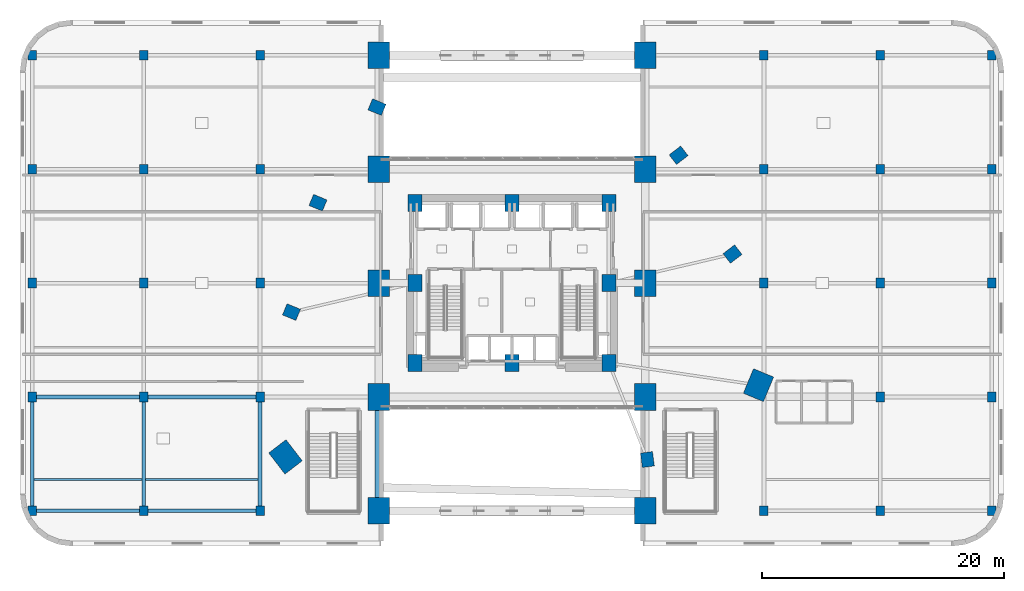
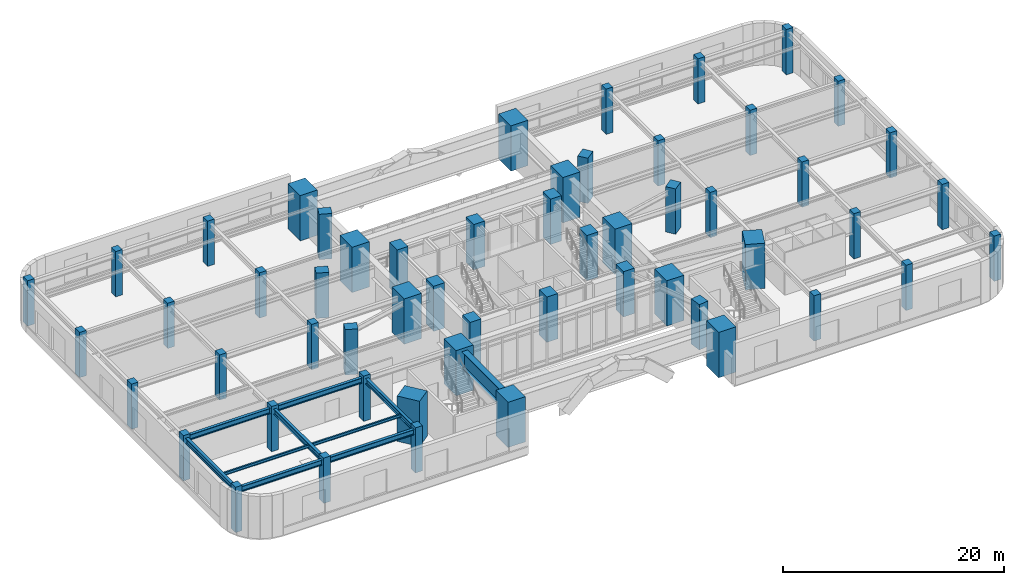
# One storey, part 1 of 25: 55 columns, 10 beams.
"""IFC4 building model written with IfcOpenShell, lengths in metres."""

from ifc_helpers import new_model, si_unit, direction, frame, origin, origin_2d, place, context, subcontext, project, spatial, rectangle, i_section, extrude, material, material_profile, profile_set, type_object, element, save


model = new_model("IFC4")

# Units and contexts
model_context = context("Model", 3, precision=1e-05, world=origin(), true_north=direction((0.0, 1.0)))
body_context = subcontext(model_context, "Body", "Model", "MODEL_VIEW")
ifc_project = project(units=[si_unit("LENGTHUNIT", "METRE"), si_unit("AREAUNIT", "SQUARE_METRE"), si_unit("VOLUMEUNIT", "CUBIC_METRE"), si_unit("PLANEANGLEUNIT", "RADIAN"), si_unit("MASSUNIT", "GRAM", prefix="KILO")], contexts=[model_context])

# Site, building, storey
site_placement = place(None, origin())
site = spatial("IfcSite", under=ifc_project, at=site_placement, CompositionType="ELEMENT")
building_placement = place(site_placement, origin())
building = spatial("IfcBuilding", under=site, at=building_placement, Name="Ndelora Gate Hotel", CompositionType="ELEMENT")
storey_placement = place(building_placement, frame((0.0, 0.0, 11.0)))
storey = spatial("IfcBuildingStorey", under=building, at=storey_placement, Name="L02", CompositionType="ELEMENT", Elevation=11.0)

# Columns
ifc_material_1 = material(Name="Concrete C60/75", Category="concrete")
ifc_material_profile_1 = material_profile(ifc_material_1, rectangle(XDim=1.800048828125, YDim=2.199951171875, at=origin_2d()), Name="RC 2200x1800")
ifc_profile_set_1 = profile_set([ifc_material_profile_1], Name="Concrete C60/75")
column_type_1 = type_object("IfcColumnType", Name="COL-ARCH-PIER", PredefinedType="COLUMN", material=ifc_profile_set_1)
for number, where, z_axis, x_axis, name in (
    (1, (-11.0, -18.800048828125, 0.0), (0.0, 0.0, 1.0), (1.0, 0.0, 0.0), "L02 Podium Column PC-04-01"),
    (2, (-11.0, -9.39990234375, 0.0), (0.0, 0.0, 1.0), (1.0, 0.0, 0.0), "L02 Podium Column PC-04-02"),
    (3, (-11.0, 0.0, 0.0), (0.0, 0.0, 1.0), (1.0, 0.0, 0.0), "L02 Podium Column PC-04-03"),
    (4, (-11.0, 9.39990234375, 0.0), (0.0, 0.0, 1.0), (1.0, 0.0, 0.0), "L02 Podium Column PC-04-04"),
    (5, (-11.0, 18.800048828125, 0.0), (0.0, 0.0, 1.0), (1.0, 0.0, 0.0), "L02 Podium Column PC-04-05"),
    (6, (11.0, -18.800048828125, 0.0), (0.0, 0.0, 1.0), (1.0, 0.0, 0.0), "L02 Podium Column PC-05-01"),
    (7, (11.0, -9.39990234375, 0.0), (0.0, 0.0, 1.0), (1.0, 0.0, 0.0), "L02 Podium Column PC-05-02"),
    (8, (11.0, 0.0, 0.0), (0.0, 0.0, 1.0), (1.0, 0.0, 0.0), "L02 Podium Column PC-05-03"),
    (9, (11.0, 9.39990234375, 0.0), (0.0, 0.0, 1.0), (1.0, 0.0, 0.0), "L02 Podium Column PC-05-04"),
    (10, (11.0, 18.800048828125, 0.0), (0.0, 0.0, 1.0), (1.0, 0.0, 0.0), "L02 Podium Column PC-05-05"),
):
    element("IfcColumn", number, at=place(storey_placement, frame(where, z_axis=z_axis, x_axis=x_axis)), inside=storey, type_object=column_type_1, Name=name, PredefinedType="COLUMN", context=body_context, shape_type="SweptSolid", body=[
        extrude(rectangle(XDim=1.800048828125, YDim=2.199951171875, at=origin_2d()), origin(), (0.0, 0.0, 1.0), 5.0),
    ])
ifc_material_profile_2 = material_profile(ifc_material_1, rectangle(XDim=1.14990234375, YDim=1.39990234375, at=origin_2d()), Name="RC 1400x1150")
ifc_profile_set_2 = profile_set([ifc_material_profile_2], Name="Concrete C60/75")
column_type_2 = type_object("IfcColumnType", Name="COL-CC-LOW", PredefinedType="COLUMN", material=ifc_profile_set_2)
for number, where, z_axis, x_axis, name in (
    (11, (-8.0, -6.60009765625, 0.0), (0.0, 0.0, 1.0), (1.0, 0.0, 0.0), "L02 Core Column CC1"),
    (12, (0.0, -6.60009765625, 0.0), (0.0, 0.0, 1.0), (1.0, 0.0, 0.0), "L02 Core Column CC2"),
    (13, (8.0, -6.60009765625, 0.0), (0.0, 0.0, 1.0), (1.0, 0.0, 0.0), "L02 Core Column CC3"),
    (14, (8.0, 0.0, 0.0), (0.0, 0.0, 1.0), (1.0, 0.0, 0.0), "L02 Core Column CC4"),
    (15, (8.0, 6.60009765625, 0.0), (0.0, 0.0, 1.0), (1.0, 0.0, 0.0), "L02 Core Column CC5"),
    (16, (0.0, 6.60009765625, 0.0), (0.0, 0.0, 1.0), (1.0, 0.0, 0.0), "L02 Core Column CC6"),
    (17, (-8.0, 6.60009765625, 0.0), (0.0, 0.0, 1.0), (1.0, 0.0, 0.0), "L02 Core Column CC7"),
    (18, (-8.0, 0.0, 0.0), (0.0, 0.0, 1.0), (1.0, 0.0, 0.0), "L02 Core Column CC8"),
):
    element("IfcColumn", number, at=place(storey_placement, frame(where, z_axis=z_axis, x_axis=x_axis)), inside=storey, type_object=column_type_2, Name=name, PredefinedType="COLUMN", context=body_context, shape_type="SweptSolid", body=[
        extrude(rectangle(XDim=1.14990234375, YDim=1.39990234375, at=origin_2d()), origin(), (0.0, 0.0, 1.0), 5.0),
    ])
ifc_material_profile_3 = material_profile(ifc_material_1, rectangle(XDim=1.800048828125, YDim=2.199951171875, at=origin_2d()), Name="RC 2200x1800")
ifc_profile_set_3 = profile_set([ifc_material_profile_3], Name="Concrete C60/75")
column_type_3 = type_object("IfcColumnType", Name="COL-MC-Z1", PredefinedType="COLUMN", material=ifc_profile_set_3)
for number, where, z_axis, x_axis, name in (
    (19, (-18.701904296875, -14.3505859375, 0.0), (0.0, 0.0, 1.0), (0.793353340291, 0.608761429009, 0.0), "L02 Tower Plumb Root Column R5"),
    (20, (20.35009765625, -8.42919921875, 0.0), (0.0, 0.0, 1.0), (-0.923879532511, 0.382683432365, 0.0), "L02 Tower Plumb Root Column R9"),
):
    element("IfcColumn", number, at=place(storey_placement, frame(where, z_axis=z_axis, x_axis=x_axis)), inside=storey, type_object=column_type_3, Name=name, PredefinedType="COLUMN", context=body_context, shape_type="SweptSolid", body=[
        extrude(rectangle(XDim=1.800048828125, YDim=2.199951171875, at=origin_2d()), origin(), (0.0, 0.0, 1.0), 5.0),
    ])
ifc_material_2 = material(Name="Concrete C50/60", Category="concrete")
ifc_material_profile_4 = material_profile(ifc_material_2, rectangle(XDim=0.699951171875, YDim=0.800048828125, at=origin_2d()), Name="RC 800x700")
ifc_profile_set_4 = profile_set([ifc_material_profile_4], Name="Concrete C50/60")
column_type_4 = type_object("IfcColumnType", Name="COL-POD-UP", PredefinedType="COLUMN", material=ifc_profile_set_4)
for number, where, z_axis, x_axis, name in (
    (21, (-39.60009765625, -18.800048828125, 0.0), (0.0, 0.0, 1.0), (1.0, 0.0, 0.0), "L02 Podium Column PC-01-01"),
    (22, (-39.60009765625, -9.39990234375, 0.0), (0.0, 0.0, 1.0), (1.0, 0.0, 0.0), "L02 Podium Column PC-01-02"),
    (23, (-39.60009765625, 0.0, 0.0), (0.0, 0.0, 1.0), (1.0, 0.0, 0.0), "L02 Podium Column PC-01-03"),
    (24, (-39.60009765625, 9.39990234375, 0.0), (0.0, 0.0, 1.0), (1.0, 0.0, 0.0), "L02 Podium Column PC-01-04"),
    (25, (-39.60009765625, 18.800048828125, 0.0), (0.0, 0.0, 1.0), (1.0, 0.0, 0.0), "L02 Podium Column PC-01-05"),
    (26, (-30.39990234375, -18.800048828125, 0.0), (0.0, 0.0, 1.0), (1.0, 0.0, 0.0), "L02 Podium Column PC-02-01"),
    (27, (-30.39990234375, -9.39990234375, 0.0), (0.0, 0.0, 1.0), (1.0, 0.0, 0.0), "L02 Podium Column PC-02-02"),
    (28, (-30.39990234375, 0.0, 0.0), (0.0, 0.0, 1.0), (1.0, 0.0, 0.0), "L02 Podium Column PC-02-03"),
    (29, (-30.39990234375, 9.39990234375, 0.0), (0.0, 0.0, 1.0), (1.0, 0.0, 0.0), "L02 Podium Column PC-02-04"),
    (30, (-30.39990234375, 18.800048828125, 0.0), (0.0, 0.0, 1.0), (1.0, 0.0, 0.0), "L02 Podium Column PC-02-05"),
    (31, (-20.800048828125, -18.800048828125, 0.0), (0.0, 0.0, 1.0), (1.0, 0.0, 0.0), "L02 Podium Column PC-03-01"),
    (32, (-20.800048828125, -9.39990234375, 0.0), (0.0, 0.0, 1.0), (1.0, 0.0, 0.0), "L02 Podium Column PC-03-02"),
    (33, (-20.800048828125, 0.0, 0.0), (0.0, 0.0, 1.0), (1.0, 0.0, 0.0), "L02 Podium Column PC-03-03"),
    (34, (-20.800048828125, 9.39990234375, 0.0), (0.0, 0.0, 1.0), (1.0, 0.0, 0.0), "L02 Podium Column PC-03-04"),
    (35, (-20.800048828125, 18.800048828125, 0.0), (0.0, 0.0, 1.0), (1.0, 0.0, 0.0), "L02 Podium Column PC-03-05"),
    (36, (20.800048828125, -18.800048828125, 0.0), (0.0, 0.0, 1.0), (1.0, 0.0, 0.0), "L02 Podium Column PC-06-01"),
    (37, (20.800048828125, 0.0, 0.0), (0.0, 0.0, 1.0), (1.0, 0.0, 0.0), "L02 Podium Column PC-06-03"),
    (38, (20.800048828125, 9.39990234375, 0.0), (0.0, 0.0, 1.0), (1.0, 0.0, 0.0), "L02 Podium Column PC-06-04"),
    (39, (20.800048828125, 18.800048828125, 0.0), (0.0, 0.0, 1.0), (1.0, 0.0, 0.0), "L02 Podium Column PC-06-05"),
    (40, (30.39990234375, -18.800048828125, 0.0), (0.0, 0.0, 1.0), (1.0, 0.0, 0.0), "L02 Podium Column PC-07-01"),
    (41, (30.39990234375, -9.39990234375, 0.0), (0.0, 0.0, 1.0), (1.0, 0.0, 0.0), "L02 Podium Column PC-07-02"),
    (42, (30.39990234375, 0.0, 0.0), (0.0, 0.0, 1.0), (1.0, 0.0, 0.0), "L02 Podium Column PC-07-03"),
    (43, (30.39990234375, 9.39990234375, 0.0), (0.0, 0.0, 1.0), (1.0, 0.0, 0.0), "L02 Podium Column PC-07-04"),
    (44, (30.39990234375, 18.800048828125, 0.0), (0.0, 0.0, 1.0), (1.0, 0.0, 0.0), "L02 Podium Column PC-07-05"),
    (45, (39.60009765625, -18.800048828125, 0.0), (0.0, 0.0, 1.0), (1.0, 0.0, 0.0), "L02 Podium Column PC-08-01"),
    (46, (39.60009765625, -9.39990234375, 0.0), (0.0, 0.0, 1.0), (1.0, 0.0, 0.0), "L02 Podium Column PC-08-02"),
    (47, (39.60009765625, 0.0, 0.0), (0.0, 0.0, 1.0), (1.0, 0.0, 0.0), "L02 Podium Column PC-08-03"),
    (48, (39.60009765625, 9.39990234375, 0.0), (0.0, 0.0, 1.0), (1.0, 0.0, 0.0), "L02 Podium Column PC-08-04"),
    (49, (39.60009765625, 18.800048828125, 0.0), (0.0, 0.0, 1.0), (1.0, 0.0, 0.0), "L02 Podium Column PC-08-05"),
):
    element("IfcColumn", number, at=place(storey_placement, frame(where, z_axis=z_axis, x_axis=x_axis)), inside=storey, type_object=column_type_4, Name=name, PredefinedType="COLUMN", context=body_context, shape_type="SweptSolid", body=[
        extrude(rectangle(XDim=0.699951171875, YDim=0.800048828125, at=origin_2d()), origin(), (0.0, 0.0, 1.0), 5.0),
    ])
ifc_material_profile_5 = material_profile(ifc_material_1, rectangle(XDim=1.0, YDim=1.199951171875, at=origin_2d()), Name="RC 1200x1000")
ifc_profile_set_5 = profile_set([ifc_material_profile_5], Name="Concrete C60/75")
column_type_5 = type_object("IfcColumnType", Name="COL-PT-Z1", PredefinedType="COLUMN", material=ifc_profile_set_5)
for number, where, z_axis, x_axis, name in (
    (50, (-11.1484375, 14.529052734375, 0.0), (0.0, 0.0, 1.0), (0.382683432365, 0.923879532511, 0.0), "L02 Tower Plumb Root Column R2"),
    (51, (-16.016845703125, 6.634521484375, 0.0), (0.0, 0.0, 1.0), (0.382683432365, 0.923879532511, 0.0), "L02 Tower Plumb Root Column R3"),
    (52, (-18.207275390625, -2.39697265625, 0.0), (0.0, 0.0, 1.0), (0.382683432365, 0.923879532511, 0.0), "L02 Tower Plumb Root Column R4"),
    (53, (11.179443359375, -14.5693359375, 0.0), (0.0, 0.0, 1.0), (0.991444861374, 0.13052619222, 0.0), "L02 Tower Plumb Root Column R8"),
    (54, (18.207275390625, 2.39697265625, 0.0), (0.0, 0.0, 1.0), (-0.608761429009, 0.793353340291, 0.0), "L02 Tower Plumb Root Column R10"),
    (55, (13.75390625, 10.5537109375, 0.0), (0.0, 0.0, 1.0), (-0.608761429009, 0.793353340291, 0.0), "L02 Tower Plumb Root Column R11"),
):
    element("IfcColumn", number, at=place(storey_placement, frame(where, z_axis=z_axis, x_axis=x_axis)), inside=storey, type_object=column_type_5, Name=name, PredefinedType="COLUMN", context=body_context, shape_type="SweptSolid", body=[
        extrude(rectangle(XDim=1.0, YDim=1.199951171875, at=origin_2d()), origin(), (0.0, 0.0, 1.0), 5.0),
    ])

# Beams
ifc_material_3 = material(Name="Steel S355", Category="steel")
ifc_material_profile_6 = material_profile(ifc_material_3, i_section(OverallWidth=0.159912109375, OverallDepth=0.330078125, WebThickness=0.007568359375, FlangeThickness=0.011474609375, FilletRadius=0.01806640625, at=origin_2d()), Name="IPE 330")
ifc_profile_set_6 = profile_set([ifc_material_profile_6], Name="Steel S355")
beam_type_1 = type_object("IfcBeamType", Name="BM-JST-330", PredefinedType="JOIST", material=ifc_profile_set_6)
beam_1_placement = place(storey_placement, frame((-39.449951171875, -16.199951171875, 4.4951171875), z_axis=(1.0, 0.0, 0.0), x_axis=(0.0, 1.0, 0.0)))
element("IfcBeam", 56, at=beam_1_placement, inside=storey, type_object=beam_type_1, Name="L02 Podium Composite Secondary Joist 1", PredefinedType="JOIST", context=body_context, shape_type="SweptSolid", body=[
    extrude(i_section(OverallWidth=0.159912109375, OverallDepth=0.330078125, WebThickness=0.007568359375, FlangeThickness=0.011474609375, FilletRadius=0.01806640625, at=origin_2d()), origin(), (0.0, 0.0, 1.0), 8.89990234375),
])
beam_2_placement = place(storey_placement, frame((-30.25, -16.199951171875, 4.4951171875), z_axis=(1.0, 0.0, 0.0), x_axis=(0.0, 1.0, 0.0)))
element("IfcBeam", 57, at=beam_2_placement, inside=storey, type_object=beam_type_1, Name="L02 Podium Composite Secondary Joist 2", PredefinedType="JOIST", context=body_context, shape_type="SweptSolid", body=[
    extrude(i_section(OverallWidth=0.159912109375, OverallDepth=0.330078125, WebThickness=0.007568359375, FlangeThickness=0.011474609375, FilletRadius=0.01806640625, at=origin_2d()), origin(), (0.0, 0.0, 1.0), 9.300048828125),
])
ifc_material_profile_7 = material_profile(ifc_material_3, i_section(OverallWidth=0.300048828125, OverallDepth=0.60009765625, WebThickness=0.015380859375, FlangeThickness=0.030029296875, FilletRadius=0.027099609375, at=origin_2d()), Name="HEB 600")
ifc_profile_set_7 = profile_set([ifc_material_profile_7], Name="Steel S355")
beam_type_2 = type_object("IfcBeamType", Name="BM-POD-600", PredefinedType="BEAM", material=ifc_profile_set_7)
for number, where, z_axis, x_axis, name in (
    (58, (-39.60009765625, -18.800048828125, 4.360107421875), (0.0, 1.0, 0.0), (-1.0, 0.0, 0.0), "L02 Podium Longitudinal Girder X=-39.6"),
    (59, (-30.39990234375, -18.800048828125, 4.360107421875), (0.0, 1.0, 0.0), (-1.0, 0.0, 0.0), "L02 Podium Longitudinal Girder X=-30.4"),
    (60, (-20.800048828125, -18.800048828125, 4.360107421875), (0.0, 1.0, 0.0), (-1.0, 0.0, 0.0), "L02 Podium Longitudinal Girder X=-20.8"),
):
    element("IfcBeam", number, at=place(storey_placement, frame(where, z_axis=z_axis, x_axis=x_axis)), inside=storey, type_object=beam_type_2, Name=name, PredefinedType="BEAM", context=body_context, shape_type="SweptSolid", body=[
        extrude(i_section(OverallWidth=0.300048828125, OverallDepth=0.60009765625, WebThickness=0.015380859375, FlangeThickness=0.030029296875, FilletRadius=0.027099609375, at=origin_2d()), origin(), (0.0, 0.0, 1.0), 9.400146484375),
    ])
beam_3_placement = place(storey_placement, frame((-39.60009765625, -18.800048828125, 4.360107421875), z_axis=(1.0, 0.0, 0.0), x_axis=(0.0, 1.0, 0.0)))
element("IfcBeam", 61, at=beam_3_placement, inside=storey, type_object=beam_type_2, Name="L02 Podium Transverse Girder Y=-18.8", PredefinedType="BEAM", context=body_context, shape_type="SweptSolid", body=[
    extrude(i_section(OverallWidth=0.300048828125, OverallDepth=0.60009765625, WebThickness=0.015380859375, FlangeThickness=0.030029296875, FilletRadius=0.027099609375, at=origin_2d()), origin(), (0.0, 0.0, 1.0), 9.2001953125),
])
beam_4_placement = place(storey_placement, frame((-30.39990234375, -18.800048828125, 4.360107421875), z_axis=(1.0, 0.0, 0.0), x_axis=(0.0, 1.0, 0.0)))
element("IfcBeam", 62, at=beam_4_placement, inside=storey, type_object=beam_type_2, Name="L02 Podium Transverse Girder Y=-18.8", PredefinedType="BEAM", context=body_context, shape_type="SweptSolid", body=[
    extrude(i_section(OverallWidth=0.300048828125, OverallDepth=0.60009765625, WebThickness=0.015380859375, FlangeThickness=0.030029296875, FilletRadius=0.027099609375, at=origin_2d()), origin(), (0.0, 0.0, 1.0), 9.599853515625),
])
beam_5_placement = place(storey_placement, frame((-39.60009765625, -9.39990234375, 4.360107421875), z_axis=(1.0, 0.0, 0.0), x_axis=(0.0, 1.0, 0.0)))
element("IfcBeam", 63, at=beam_5_placement, inside=storey, type_object=beam_type_2, Name="L02 Podium Transverse Girder Y=-9.4", PredefinedType="BEAM", context=body_context, shape_type="SweptSolid", body=[
    extrude(i_section(OverallWidth=0.300048828125, OverallDepth=0.60009765625, WebThickness=0.015380859375, FlangeThickness=0.030029296875, FilletRadius=0.027099609375, at=origin_2d()), origin(), (0.0, 0.0, 1.0), 9.2001953125),
])
beam_6_placement = place(storey_placement, frame((-30.39990234375, -9.39990234375, 4.360107421875), z_axis=(1.0, 0.0, 0.0), x_axis=(0.0, 1.0, 0.0)))
element("IfcBeam", 64, at=beam_6_placement, inside=storey, type_object=beam_type_2, Name="L02 Podium Transverse Girder Y=-9.4", PredefinedType="BEAM", context=body_context, shape_type="SweptSolid", body=[
    extrude(i_section(OverallWidth=0.300048828125, OverallDepth=0.60009765625, WebThickness=0.015380859375, FlangeThickness=0.030029296875, FilletRadius=0.027099609375, at=origin_2d()), origin(), (0.0, 0.0, 1.0), 9.599853515625),
])
ifc_material_4 = material(Name="Steel S460", Category="steel")
ifc_material_profile_8 = material_profile(ifc_material_4, i_section(OverallWidth=0.60009765625, OverallDepth=1.800048828125, WebThickness=0.028076171875, FlangeThickness=0.0400390625, FilletRadius=0.02392578125, at=origin_2d()), Name="PG 1800x600x40")
ifc_profile_set_8 = profile_set([ifc_material_profile_8], Name="Steel S460")
beam_type_3 = type_object("IfcBeamType", Name="BM-TR-1800", PredefinedType="BEAM", material=ifc_profile_set_8)
beam_7_placement = place(storey_placement, frame((-11.0, -18.800048828125, 3.760009765625), z_axis=(0.0, 1.0, 0.0), x_axis=(-1.0, 0.0, 0.0)))
element("IfcBeam", 65, at=beam_7_placement, inside=storey, type_object=beam_type_3, Name="L02 Podium Longitudinal Girder X=-11.0", PredefinedType="BEAM", context=body_context, shape_type="SweptSolid", body=[
    extrude(i_section(OverallWidth=0.60009765625, OverallDepth=1.800048828125, WebThickness=0.028076171875, FlangeThickness=0.0400390625, FilletRadius=0.02392578125, at=origin_2d()), origin(), (0.0, 0.0, 1.0), 9.400146484375),
])

save(model, "model.ifc")
